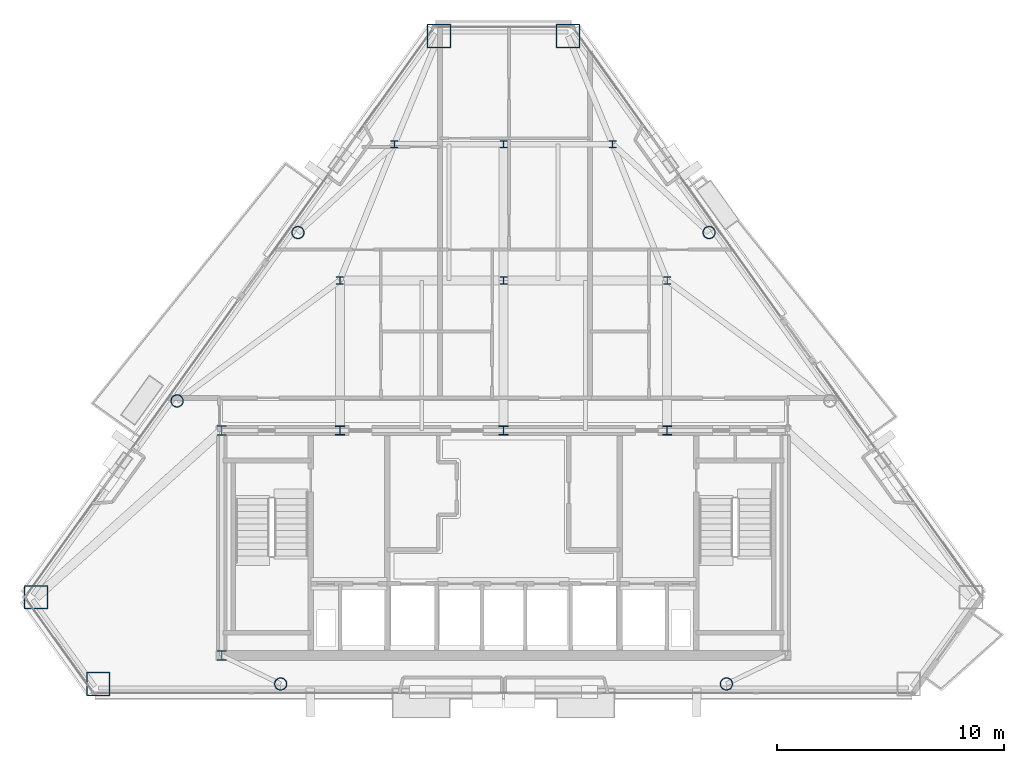
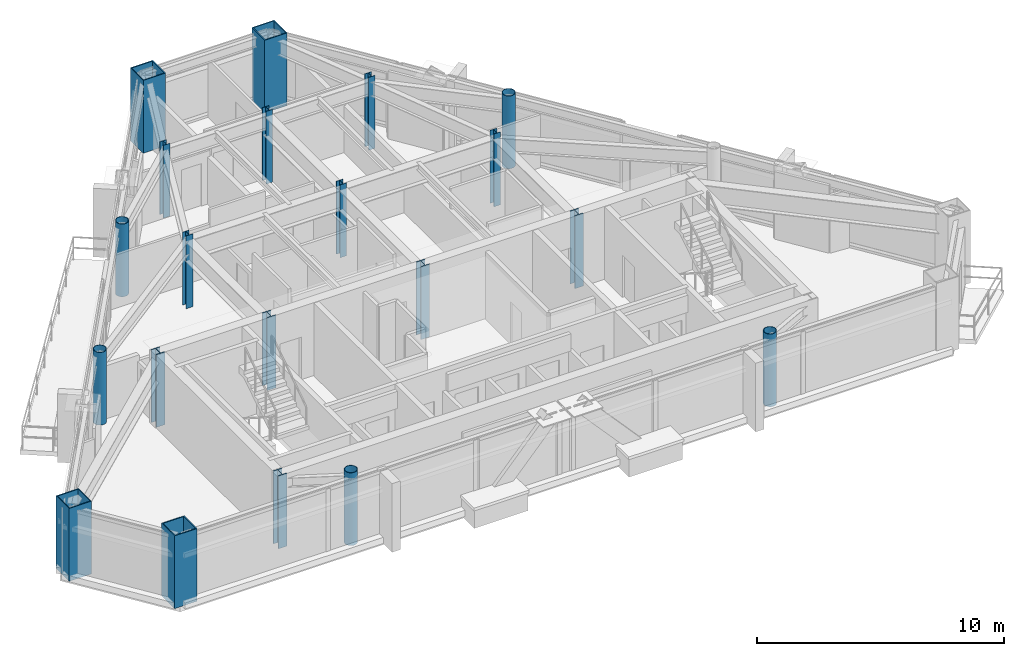
# One storey, part 1 of 12: 20 columns.
"""IFC4 building model written with IfcOpenShell, lengths in metres."""

from ifc_helpers import new_model, si_unit, direction, frame, origin, origin_2d, place, context, subcontext, project, spatial, hollow_rectangle, hollow_circle, i_section, extrude, material, material_profile, profile_set, type_object, element, save


model = new_model("IFC4")

# Units and contexts
model_context = context("Model", 3, precision=1e-05, world=origin(), true_north=direction((0.0, 1.0)))
body_context = subcontext(model_context, "Body", "Model", "MODEL_VIEW")
ifc_project = project(units=[si_unit("LENGTHUNIT", "METRE"), si_unit("AREAUNIT", "SQUARE_METRE"), si_unit("VOLUMEUNIT", "CUBIC_METRE"), si_unit("PLANEANGLEUNIT", "RADIAN"), si_unit("MASSUNIT", "GRAM", prefix="KILO")], contexts=[model_context])

# Site, building, storey
site_placement = place(None, origin())
site = spatial("IfcSite", under=ifc_project, at=site_placement, CompositionType="ELEMENT")
building_placement = place(site_placement, origin())
building = spatial("IfcBuilding", under=site, at=building_placement, Name="Talgorran Terracotta Tower", CompositionType="ELEMENT")
storey_placement = place(building_placement, frame((0.0, 0.0, 221.699951171875)))
storey = spatial("IfcBuildingStorey", under=building, at=storey_placement, Name="L58", CompositionType="ELEMENT", Elevation=221.699951171875)

# Columns
ifc_material_1 = material(Name="Steel S355 (300PLUS)", Category="steel")
ifc_material_profile_1 = material_profile(ifc_material_1, i_section(OverallWidth=0.306884765625, OverallDepth=0.314453125, WebThickness=0.011962890625, FlangeThickness=0.018798828125, at=origin_2d()), Name="310UC118")
ifc_profile_set_1 = profile_set([ifc_material_profile_1], Name="Steel S355 (300PLUS)")
column_type_1 = type_object("IfcColumnType", Name="COL_310UC118", PredefinedType="COLUMN", material=ifc_profile_set_1)
for number, where, z_axis, x_axis, name in (
    (1, (-7.199951171875, 2.39990234375, 0.0), (0.0, 0.0, 1.0), (1.0, 0.0, 0.0), "L58 Interior Gravity Column IC1"),
    (2, (0.0, 2.39990234375, 0.0), (0.0, 0.0, 1.0), (1.0, 0.0, 0.0), "L58 Interior Gravity Column IC2"),
    (3, (7.199951171875, 2.39990234375, 0.0), (0.0, 0.0, 1.0), (1.0, 0.0, 0.0), "L58 Interior Gravity Column IC3"),
    (4, (-4.800048828125, 8.39990234375, 0.0), (0.0, 0.0, 1.0), (1.0, 0.0, 0.0), "L58 Interior Gravity Column IC4"),
    (5, (0.0, 8.39990234375, 0.0), (0.0, 0.0, 1.0), (1.0, 0.0, 0.0), "L58 Interior Gravity Column IC5"),
    (6, (4.800048828125, 8.39990234375, 0.0), (0.0, 0.0, 1.0), (1.0, 0.0, 0.0), "L58 Interior Gravity Column IC6"),
):
    element("IfcColumn", number, at=place(storey_placement, frame(where, z_axis=z_axis, x_axis=x_axis)), inside=storey, type_object=column_type_1, Name=name, PredefinedType="COLUMN", context=body_context, shape_type="SweptSolid", body=[
        extrude(i_section(OverallWidth=0.306884765625, OverallDepth=0.314453125, WebThickness=0.011962890625, FlangeThickness=0.018798828125, at=origin_2d()), origin(), (0.0, 0.0, 1.0), 3.60009765625),
    ])
ifc_material_profile_2 = material_profile(ifc_material_1, i_section(OverallWidth=0.39990234375, OverallDepth=0.43994140625, WebThickness=0.028076171875, FlangeThickness=0.0400390625, at=origin_2d()), Name="400WC328")
ifc_profile_set_2 = profile_set([ifc_material_profile_2], Name="Steel S355 (300PLUS)")
column_type_2 = type_object("IfcColumnType", Name="COL_400WC328", PredefinedType="COLUMN", material=ifc_profile_set_2)
for number, where, z_axis, x_axis, name in (
    (7, (-12.39990234375, -14.10009765625, 0.0), (0.0, 0.0, 1.0), (1.0, 0.0, 0.0), "L58 Core Boundary Column CC1"),
    (8, (-12.39990234375, -4.199951171875, 0.0), (0.0, 0.0, 1.0), (1.0, 0.0, 0.0), "L58 Core Boundary Column CC4"),
):
    element("IfcColumn", number, at=place(storey_placement, frame(where, z_axis=z_axis, x_axis=x_axis)), inside=storey, type_object=column_type_2, Name=name, PredefinedType="COLUMN", context=body_context, shape_type="SweptSolid", body=[
        extrude(i_section(OverallWidth=0.39990234375, OverallDepth=0.43994140625, WebThickness=0.028076171875, FlangeThickness=0.0400390625, at=origin_2d()), origin(), (0.0, 0.0, 1.0), 3.60009765625),
    ])
ifc_material_2 = material(Name="Steel Grade 350 (350L0)", Category="steel")
ifc_material_profile_3 = material_profile(ifc_material_2, hollow_rectangle(XDim=1.050048828125, YDim=1.050048828125, WallThickness=0.044921875, at=origin_2d()), Name="CFT1050X1050X45")
ifc_profile_set_3 = profile_set([ifc_material_profile_3], Name="Steel Grade 350 (350L0)")
column_type_3 = type_object("IfcColumnType", Name="COL_CFT_1050", PredefinedType="COLUMN", material=ifc_profile_set_3)
for number, where, z_axis, x_axis, name in (
    (9, (-20.566650390625, -11.53955078125, 0.0), (0.0, 0.0, 1.0), (1.0, 0.0, 0.0), "L58 Corner CFT Mega-Column MC1"),
    (10, (-17.830078125, -15.352294921875, 0.0), (0.0, 0.0, 1.0), (1.0, 0.0, 0.0), "L58 Corner CFT Mega-Column MC2"),
    (11, (2.843017578125, 13.153076171875, 0.0), (0.0, 0.0, 1.0), (1.0, 0.0, 0.0), "L58 Corner CFT Mega-Column MC5"),
    (12, (-2.843017578125, 13.153076171875, 0.0), (0.0, 0.0, 1.0), (1.0, 0.0, 0.0), "L58 Corner CFT Mega-Column MC6"),
):
    element("IfcColumn", number, at=place(storey_placement, frame(where, z_axis=z_axis, x_axis=x_axis)), inside=storey, type_object=column_type_3, Name=name, PredefinedType="COLUMN", context=body_context, shape_type="SweptSolid", body=[
        extrude(hollow_rectangle(XDim=1.050048828125, YDim=1.050048828125, WallThickness=0.044921875, at=origin_2d()), origin(), (0.0, 0.0, 1.0), 3.60009765625),
    ])
ifc_material_profile_4 = material_profile(ifc_material_2, hollow_circle(Radius=0.27490234375, WallThickness=0.02392578125, at=origin_2d()), Name="CHS550X24")
ifc_profile_set_4 = profile_set([ifc_material_profile_4], Name="Steel Grade 350 (350L0)")
column_type_4 = type_object("IfcColumnType", Name="COL_CHS_550", PredefinedType="COLUMN", material=ifc_profile_set_4)
for number, where, z_axis, x_axis, name in (
    (13, (-9.806640625, -15.352294921875, 0.0), (0.0, 0.0, 1.0), (1.0, 0.0, 0.0), "L58 Facet Perimeter Column FC1"),
    (14, (9.806640625, -15.352294921875, 0.0), (0.0, 0.0, 1.0), (1.0, 0.0, 0.0), "L58 Facet Perimeter Column FC2"),
    (15, (9.04638671875, 4.510498046875, 0.0), (0.0, 0.0, 1.0), (1.0, 0.0, 0.0), "L58 Facet Perimeter Column FC4"),
    (16, (-9.04638671875, 4.510498046875, 0.0), (0.0, 0.0, 1.0), (1.0, 0.0, 0.0), "L58 Facet Perimeter Column FC5"),
    (17, (-14.36328125, -2.897216796875, 0.0), (0.0, 0.0, 1.0), (1.0, 0.0, 0.0), "L58 Facet Perimeter Column FC6"),
):
    element("IfcColumn", number, at=place(storey_placement, frame(where, z_axis=z_axis, x_axis=x_axis)), inside=storey, type_object=column_type_4, Name=name, PredefinedType="COLUMN", context=body_context, shape_type="SweptSolid", body=[
        extrude(hollow_circle(Radius=0.27490234375, WallThickness=0.02392578125, at=origin_2d()), origin(), (0.0, 0.0, 1.0), 3.60009765625),
    ])
ifc_material_profile_5 = material_profile(ifc_material_1, i_section(OverallWidth=0.405029296875, OverallDepth=0.4140625, WebThickness=0.02197265625, FlangeThickness=0.031982421875, at=origin_2d()), Name="400WC270")
ifc_profile_set_5 = profile_set([ifc_material_profile_5], Name="Steel S355 (300PLUS)")
column_type_5 = type_object("IfcColumnType", Name="COL_PIL_400WC270", PredefinedType="PILASTER", material=ifc_profile_set_5)
for number, where, z_axis, x_axis, name in (
    (18, (-7.199951171875, -4.199951171875, 0.0), (0.0, 0.0, 1.0), (1.0, 0.0, 0.0), "L58 Core Shear Pilaster CP1"),
    (19, (0.0, -4.199951171875, 0.0), (0.0, 0.0, 1.0), (1.0, 0.0, 0.0), "L58 Core Shear Pilaster CP2"),
    (20, (7.199951171875, -4.199951171875, 0.0), (0.0, 0.0, 1.0), (1.0, 0.0, 0.0), "L58 Core Shear Pilaster CP3"),
):
    element("IfcColumn", number, at=place(storey_placement, frame(where, z_axis=z_axis, x_axis=x_axis)), inside=storey, type_object=column_type_5, Name=name, PredefinedType="PILASTER", context=body_context, shape_type="SweptSolid", body=[
        extrude(i_section(OverallWidth=0.405029296875, OverallDepth=0.4140625, WebThickness=0.02197265625, FlangeThickness=0.031982421875, at=origin_2d()), origin(), (0.0, 0.0, 1.0), 3.60009765625),
    ])

save(model, "model.ifc")
